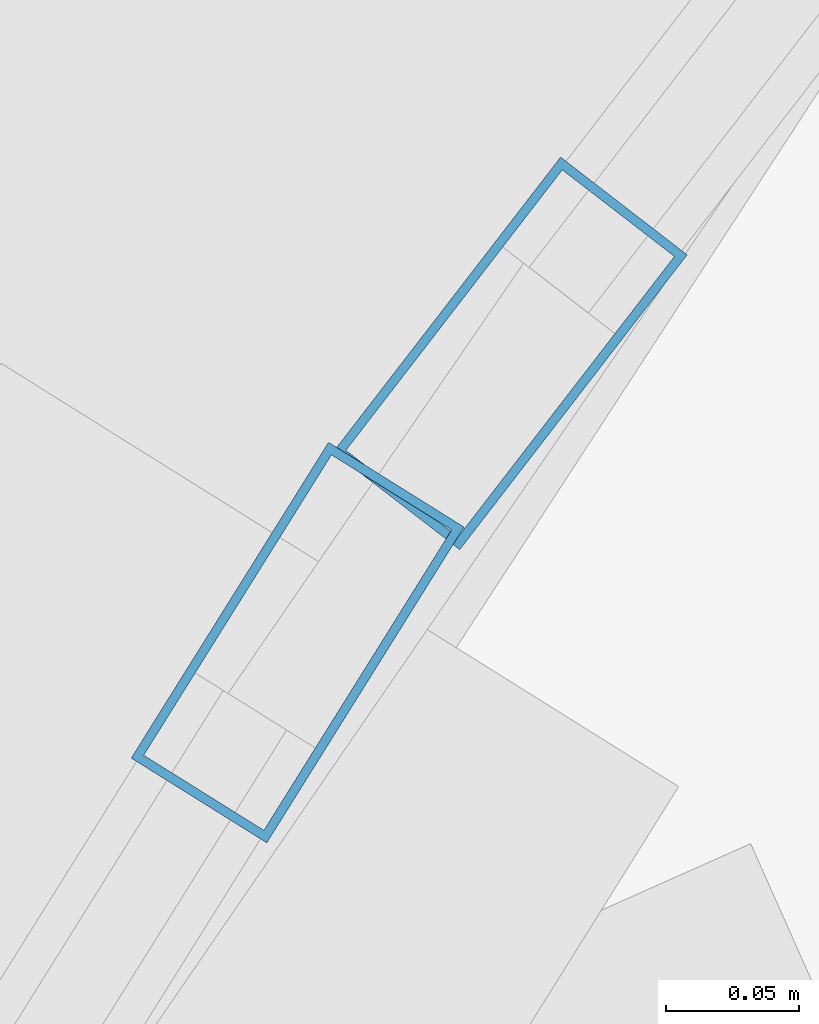
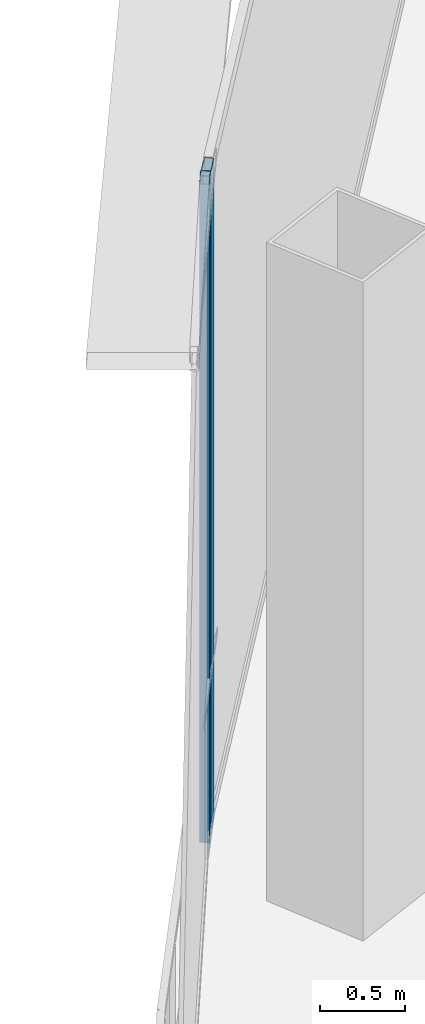
# One storey, part 19 of 29: 2 members, 2 elements without a shape of their own.
"""IFC4 building model written with IfcOpenShell, lengths in metres."""

from ifc_helpers import new_model, si_unit, direction, frame, origin, origin_2d, place, context, subcontext, project, spatial, hollow_rectangle, extrude, source, transform, mapped, material, layer, layer_set, material_profile, profile_set, type_object, element, aggregate, save


model = new_model("IFC4")

# Units and contexts
model_context = context("Model", 3, precision=1e-05, world=origin(), true_north=direction((0.0, 1.0)))
body_context = subcontext(model_context, "Body", "Model", "MODEL_VIEW")
ifc_project = project(units=[si_unit("LENGTHUNIT", "METRE"), si_unit("AREAUNIT", "SQUARE_METRE"), si_unit("VOLUMEUNIT", "CUBIC_METRE"), si_unit("PLANEANGLEUNIT", "RADIAN"), si_unit("MASSUNIT", "GRAM", prefix="KILO"), si_unit("THERMODYNAMICTEMPERATUREUNIT", "KELVIN"), si_unit("POWERUNIT", "WATT")], contexts=[model_context])

# Site, building, storey
site_placement = place(None, origin())
site = spatial("IfcSite", under=ifc_project, at=site_placement, CompositionType="ELEMENT")
building_placement = place(site_placement, origin())
building = spatial("IfcBuilding", under=site, at=building_placement, Name="Yunzhuo Pagoda Commons", CompositionType="ELEMENT")
storey_placement = place(building_placement, frame((0.0, 0.0, 366.760009765625)))
storey = spatial("IfcBuildingStorey", under=building, at=storey_placement, Name="L92", CompositionType="ELEMENT", Elevation=366.760009765625)

# Curtain wall, member
ifc_material = material(Name="Anodized aluminium 6063-T6", Category="aluminium")
ifc_layer = layer(ifc_material, 0.139892578125)
ifc_layer_set = layer_set([ifc_layer], Name="Anodized aluminium 6063-T6")
curtain_wall_type = type_object("IfcCurtainWallType", Name="CW-HI High-Zone Ribbon Curtain Wall", PredefinedType="NOTDEFINED", material=ifc_layer_set)
curtain_wall_1_placement = place(storey_placement, origin())
curtain_wall_1 = element("IfcCurtainWall", 1, at=curtain_wall_1_placement, inside=storey, type_object=curtain_wall_type, Name="L92 curtain wall CW-L92-F3B2", PredefinedType="NOTDEFINED")
ifc_material_profile = material_profile(ifc_material, hollow_rectangle(XDim=0.06005859375, YDim=0.139892578125, WallThickness=0.00341796875, at=origin_2d()), Name="Anodized aluminium 6063-T6")
ifc_profile_set = profile_set([ifc_material_profile], Name="Anodized aluminium 6063-T6")
member_type = type_object("IfcMemberType", Name="CW-HI-M Mullion RHS 140x60x3.5", PredefinedType="MULLION", material=ifc_profile_set)
shared_shape = source(origin(), body_context, "Body", "SweptSolid", [
    extrude(hollow_rectangle(XDim=0.06005859375, YDim=0.139892578125, WallThickness=0.00341796875, at=origin_2d()), origin(), (0.0, 0.0, 1.0), 4.72021484375),
])
member_1_placement = place(storey_placement, frame((37.058349609375, 58.214599609375, 0.0), z_axis=(0.0, 0.0, 1.0), x_axis=(0.848055012826, -0.529908195087, 0.0)))
member_1 = element("IfcMember", 2, at=member_1_placement, type_object=member_type, Name="CW mullion 1", PredefinedType="MULLION", context=body_context, shape_type="MappedRepresentation", body=[
    mapped(shared_shape, transform((0.0, 0.0, 0.0), scale=1.0)),
])
aggregate(curtain_wall_1, [member_1])

curtain_wall_2_placement = place(storey_placement, origin())
curtain_wall_2 = element("IfcCurtainWall", 3, at=curtain_wall_2_placement, inside=storey, type_object=curtain_wall_type, Name="L92 curtain wall CW-L92-F3B1", PredefinedType="NOTDEFINED")
member_2_placement = place(storey_placement, frame((37.13818359375, 58.3232421875, 0.0), z_axis=(0.0, 0.0, 1.0), x_axis=(0.791792596017, -0.610790049765, 0.0)))
member_2 = element("IfcMember", 4, at=member_2_placement, type_object=member_type, Name="CW mullion 2", PredefinedType="MULLION", context=body_context, shape_type="MappedRepresentation", body=[
    mapped(shared_shape, transform((0.0, 0.0, 0.0), scale=1.0)),
])
aggregate(curtain_wall_2, [member_2])

save(model, "model.ifc")
